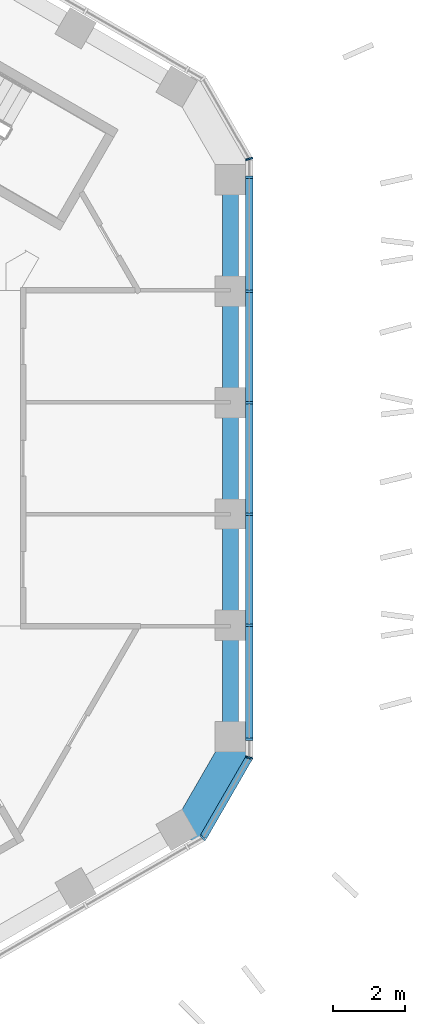
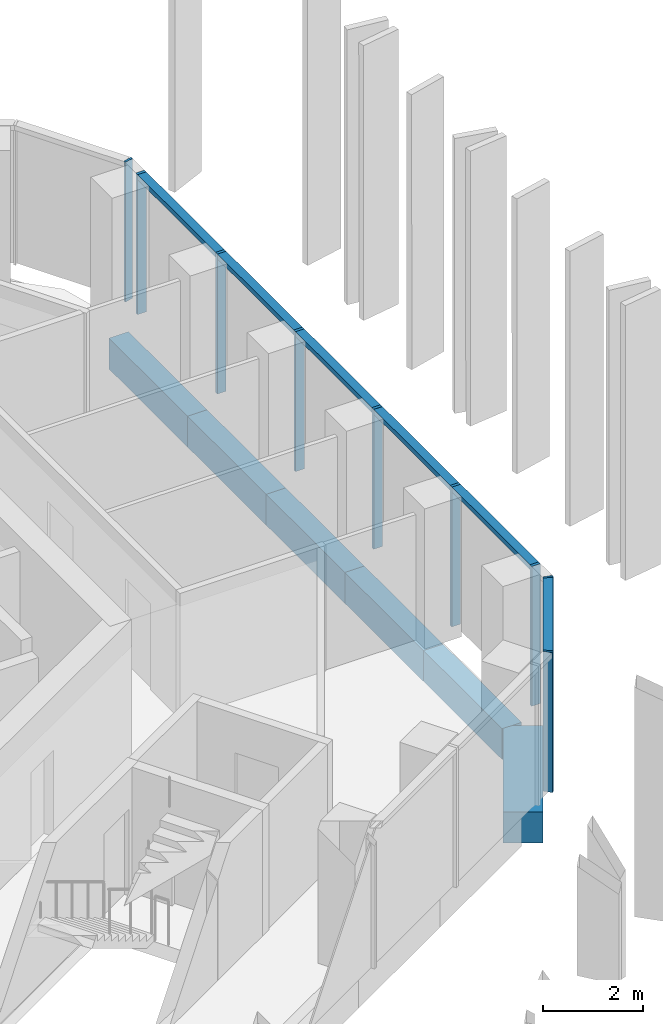
# One storey, part 4 of 18: 11 members, 6 beams, 3 elements without a shape of their own.
"""IFC4 building model written with IfcOpenShell, lengths in metres."""

from ifc_helpers import new_model, si_unit, direction, frame, origin, origin_2d, place, context, subcontext, project, spatial, rectangle, extrude, material, layer, layer_set, material_profile, profile_set, type_object, element, aggregate, save


model = new_model("IFC4")

# Units and contexts
model_context = context("Model", 3, precision=1e-05, world=origin(), true_north=direction((0.0, 1.0)))
body_context = subcontext(model_context, "Body", "Model", "MODEL_VIEW")
ifc_project = project(units=[si_unit("LENGTHUNIT", "METRE"), si_unit("AREAUNIT", "SQUARE_METRE"), si_unit("VOLUMEUNIT", "CUBIC_METRE"), si_unit("PLANEANGLEUNIT", "RADIAN"), si_unit("MASSUNIT", "GRAM", prefix="KILO")], contexts=[model_context])

# Site, building, storey
site_placement = place(None, origin())
site = spatial("IfcSite", under=ifc_project, at=site_placement, CompositionType="ELEMENT")
building_placement = place(site_placement, origin())
building = spatial("IfcBuilding", under=site, at=building_placement, Name="Ayvan Gate Tower", CompositionType="ELEMENT")
storey_placement = place(building_placement, frame((0.0, 0.0, 229.10009765625)))
storey = spatial("IfcBuildingStorey", under=building, at=storey_placement, Name="L61", CompositionType="ELEMENT", Elevation=229.10009765625)

# Beams
ifc_material_1 = material(Name="Concrete C40/50", Category="concrete")
ifc_material_profile_1 = material_profile(ifc_material_1, rectangle(XDim=0.800048828125, YDim=0.75, at=origin_2d()), Name="RC 800x750")
ifc_profile_set_1 = profile_set([ifc_material_profile_1], Name="Concrete C40/50")
beam_type_1 = type_object("IfcBeamType", Name="Corner spandrel beam RC 800x750 C40/50", PredefinedType="BEAM", material=ifc_profile_set_1)
beam_1_placement = place(storey_placement, frame((15.578125, -10.53515625, -0.72509765625), z_axis=(0.499990139034, 0.866031096941, 0.0), x_axis=(-0.866031096941, 0.499990139034, 0.0)))
element("IfcBeam", 1, at=beam_1_placement, inside=storey, type_object=beam_type_1, Name="SB-L61-36", PredefinedType="BEAM", context=body_context, shape_type="SweptSolid", body=[
    extrude(rectangle(XDim=0.800048828125, YDim=0.75, at=origin_2d()), origin(), (0.0, 0.0, 1.0), 3.0),
])
ifc_material_profile_2 = material_profile(ifc_material_1, rectangle(XDim=0.449951171875, YDim=0.75, at=origin_2d()), Name="RC 450x750")
ifc_profile_set_2 = profile_set([ifc_material_profile_2], Name="Concrete C40/50")
beam_type_2 = type_object("IfcBeamType", Name="Spandrel beam RC 450x750 C40/50", PredefinedType="BEAM", material=ifc_profile_set_2)
beam_2_placement = place(storey_placement, frame((16.887451171875, -7.826904296875, -0.72509765625), z_axis=(0.0, 1.0, 0.0), x_axis=(-1.0, 0.0, 0.0)))
element("IfcBeam", 2, at=beam_2_placement, inside=storey, type_object=beam_type_2, Name="SB-L61-1", PredefinedType="BEAM", context=body_context, shape_type="SweptSolid", body=[
    extrude(rectangle(XDim=0.449951171875, YDim=0.75, at=origin_2d()), origin(), (0.0, 0.0, 1.0), 3.130615234375),
])
for number, where, z_axis, x_axis, name in (
    (3, (16.887451171875, -4.6962890625, -0.72509765625), (0.0, 1.0, 0.0), (-1.0, 0.0, 0.0), "SB-L61-2"),
    (4, (16.887451171875, -1.5654296875, -0.72509765625), (0.0, 1.0, 0.0), (-1.0, 0.0, 0.0), "SB-L61-3"),
    (5, (16.887451171875, 1.5654296875, -0.72509765625), (0.0, 1.0, 0.0), (-1.0, 0.0, 0.0), "SB-L61-4"),
):
    element("IfcBeam", number, at=place(storey_placement, frame(where, z_axis=z_axis, x_axis=x_axis)), inside=storey, type_object=beam_type_2, Name=name, PredefinedType="BEAM", context=body_context, shape_type="SweptSolid", body=[
        extrude(rectangle(XDim=0.449951171875, YDim=0.75, at=origin_2d()), origin(), (0.0, 0.0, 1.0), 3.130859375),
    ])
beam_3_placement = place(storey_placement, frame((16.887451171875, 4.6962890625, -0.72509765625), z_axis=(0.0, 1.0, 0.0), x_axis=(-1.0, 0.0, 0.0)))
element("IfcBeam", 6, at=beam_3_placement, inside=storey, type_object=beam_type_2, Name="SB-L61-5", PredefinedType="BEAM", context=body_context, shape_type="SweptSolid", body=[
    extrude(rectangle(XDim=0.449951171875, YDim=0.75, at=origin_2d()), origin(), (0.0, 0.0, 1.0), 3.130615234375),
])

# Curtain wall, members
ifc_material_2 = material(Name="Bronze anodised aluminium", Category="aluminium")
ifc_layer_1 = layer(ifc_material_2, 0.199951171875)
ifc_layer_set_1 = layer_set([ifc_layer_1], Name="Bronze anodised aluminium")
curtain_wall_type_1 = type_object("IfcCurtainWallType", Name="Stick curtain wall CW-2", PredefinedType="NOTDEFINED", material=ifc_layer_set_1)
curtain_wall_1_placement = place(storey_placement, origin())
curtain_wall_1 = element("IfcCurtainWall", 7, at=curtain_wall_1_placement, inside=storey, type_object=curtain_wall_type_1, Name="Stick curtain wall CW-2 L61", PredefinedType="NOTDEFINED")
ifc_material_profile_3 = material_profile(ifc_material_2, rectangle(XDim=0.199951171875, YDim=0.070068359375, at=origin_2d()), Name="Stick curtain wall CW-2 mullion 200 x 70")
ifc_profile_set_3 = profile_set([ifc_material_profile_3], Name="Bronze anodised aluminium")
member_type_1 = type_object("IfcMemberType", Name="Stick curtain wall CW-2 mullion 200 x 70", PredefinedType="MULLION", material=ifc_profile_set_3)
member_1_placement = place(storey_placement, frame((17.41259765625, -7.846435546875, 0.0), z_axis=(0.0, 0.0, 1.0), x_axis=(1.0, 0.0, 0.0)))
member_1 = element("IfcMember", 8, at=member_1_placement, type_object=member_type_1, Name="CW-2 mullion 1", PredefinedType="MULLION", context=body_context, shape_type="SweptSolid", body=[
    extrude(rectangle(XDim=0.199951171875, YDim=0.070068359375, at=origin_2d()), origin(), (0.0, 0.0, 1.0), 3.39990234375),
])
member_2_placement = place(storey_placement, frame((17.41259765625, -4.66650390625, 0.0), z_axis=(0.0, 0.0, 1.0), x_axis=(1.0, 0.0, 0.0)))
member_2 = element("IfcMember", 9, at=member_2_placement, type_object=member_type_1, Name="CW-2 mullion 2", PredefinedType="MULLION", context=body_context, shape_type="SweptSolid", body=[
    extrude(rectangle(XDim=0.199951171875, YDim=0.070068359375, at=origin_2d()), origin(), (0.0, 0.0, 1.0), 3.39990234375),
])
member_3_placement = place(storey_placement, frame((17.41259765625, -1.555419921875, 0.0), z_axis=(0.0, 0.0, 1.0), x_axis=(1.0, 0.0, 0.0)))
member_3 = element("IfcMember", 10, at=member_3_placement, type_object=member_type_1, Name="CW-2 mullion 3", PredefinedType="MULLION", context=body_context, shape_type="SweptSolid", body=[
    extrude(rectangle(XDim=0.199951171875, YDim=0.070068359375, at=origin_2d()), origin(), (0.0, 0.0, 1.0), 3.39990234375),
])
member_4_placement = place(storey_placement, frame((17.41259765625, 1.555419921875, 0.0), z_axis=(0.0, 0.0, 1.0), x_axis=(1.0, 0.0, 0.0)))
member_4 = element("IfcMember", 11, at=member_4_placement, type_object=member_type_1, Name="CW-2 mullion 4", PredefinedType="MULLION", context=body_context, shape_type="SweptSolid", body=[
    extrude(rectangle(XDim=0.199951171875, YDim=0.070068359375, at=origin_2d()), origin(), (0.0, 0.0, 1.0), 3.39990234375),
])
member_5_placement = place(storey_placement, frame((17.41259765625, 4.66650390625, 0.0), z_axis=(0.0, 0.0, 1.0), x_axis=(1.0, 0.0, 0.0)))
member_5 = element("IfcMember", 12, at=member_5_placement, type_object=member_type_1, Name="CW-2 mullion 5", PredefinedType="MULLION", context=body_context, shape_type="SweptSolid", body=[
    extrude(rectangle(XDim=0.199951171875, YDim=0.070068359375, at=origin_2d()), origin(), (0.0, 0.0, 1.0), 3.39990234375),
])
member_6_placement = place(storey_placement, frame((17.41259765625, 7.846435546875, 0.0), z_axis=(0.0, 0.0, 1.0), x_axis=(1.0, 0.0, 0.0)))
member_6 = element("IfcMember", 13, at=member_6_placement, type_object=member_type_1, Name="CW-2 mullion 6", PredefinedType="MULLION", context=body_context, shape_type="SweptSolid", body=[
    extrude(rectangle(XDim=0.199951171875, YDim=0.070068359375, at=origin_2d()), origin(), (0.0, 0.0, 1.0), 3.39990234375),
])
ifc_material_profile_4 = material_profile(ifc_material_2, rectangle(XDim=0.199951171875, YDim=0.1201171875, at=origin_2d()), Name="Stick curtain wall CW-2 transom 200 x 120")
ifc_profile_set_4 = profile_set([ifc_material_profile_4], Name="Bronze anodised aluminium")
member_type_2 = type_object("IfcMemberType", Name="Stick curtain wall CW-2 transom 200 x 120", PredefinedType="USERDEFINED", material=ifc_profile_set_4)
member_7_placement = place(storey_placement, frame((17.41259765625, -7.846435546875, 3.33984375), z_axis=(0.0, 1.0, 0.0), x_axis=(-1.0, 0.0, 0.0)))
member_7 = element("IfcMember", 14, at=member_7_placement, type_object=member_type_2, Name="CW-2 transom 1", ObjectType="TRANSOM", PredefinedType="USERDEFINED", context=body_context, shape_type="SweptSolid", body=[
    extrude(rectangle(XDim=0.199951171875, YDim=0.1201171875, at=origin_2d()), origin(), (0.0, 0.0, 1.0), 15.69287109375),
])
aggregate(curtain_wall_1, [member_1, member_2, member_3, member_4, member_5, member_6, member_7])

ifc_layer_2 = layer(ifc_material_2, 0.199951171875)
ifc_layer_set_2 = layer_set([ifc_layer_2], Name="Bronze anodised aluminium")
curtain_wall_type_2 = type_object("IfcCurtainWallType", Name="Stick curtain wall CW-6", PredefinedType="NOTDEFINED", material=ifc_layer_set_2)
curtain_wall_2_placement = place(storey_placement, origin())
curtain_wall_2 = element("IfcCurtainWall", 15, at=curtain_wall_2_placement, inside=storey, type_object=curtain_wall_type_2, Name="Stick curtain wall CW-6 L61", PredefinedType="NOTDEFINED")
ifc_material_profile_5 = material_profile(ifc_material_2, rectangle(XDim=0.199951171875, YDim=0.050048828125, at=origin_2d()), Name="Stick curtain wall CW-6 mullion 200 x 50")
ifc_profile_set_5 = profile_set([ifc_material_profile_5], Name="Bronze anodised aluminium")
member_type_3 = type_object("IfcMemberType", Name="Stick curtain wall CW-6 mullion 200 x 50", PredefinedType="MULLION", material=ifc_profile_set_5)
member_8_placement = place(storey_placement, frame((16.12109375, -10.593017578125, 0.0), z_axis=(0.0, 0.0, 1.0), x_axis=(0.707106781187, -0.707106781187, 0.0)))
member_8 = element("IfcMember", 16, at=member_8_placement, type_object=member_type_3, Name="CW-6 mullion 2", PredefinedType="MULLION", context=body_context, shape_type="SweptSolid", body=[
    extrude(rectangle(XDim=0.199951171875, YDim=0.050048828125, at=origin_2d()), origin(), (0.0, 0.0, 1.0), 3.39990234375),
])
member_9_placement = place(storey_placement, frame((17.41259765625, -8.3564453125, 0.0), z_axis=(0.0, 0.0, 1.0), x_axis=(0.965925826289, -0.258819045103, 0.0)))
member_9 = element("IfcMember", 17, at=member_9_placement, type_object=member_type_3, Name="CW-6 mullion 3", PredefinedType="MULLION", context=body_context, shape_type="SweptSolid", body=[
    extrude(rectangle(XDim=0.199951171875, YDim=0.050048828125, at=origin_2d()), origin(), (0.0, 0.0, 1.0), 3.39990234375),
])

# Curtain wall, member
curtain_wall_3_placement = place(storey_placement, origin())
curtain_wall_3 = element("IfcCurtainWall", 18, at=curtain_wall_3_placement, inside=storey, type_object=curtain_wall_type_2, Name="Stick curtain wall CW-6 L61", PredefinedType="NOTDEFINED")
member_10_placement = place(storey_placement, frame((17.41259765625, 8.3564453125, 0.0), z_axis=(0.0, 0.0, 1.0), x_axis=(0.965925826289, 0.258819045103, 0.0)))
member_10 = element("IfcMember", 19, at=member_10_placement, type_object=member_type_3, Name="CW-6 mullion 2", PredefinedType="MULLION", context=body_context, shape_type="SweptSolid", body=[
    extrude(rectangle(XDim=0.199951171875, YDim=0.050048828125, at=origin_2d()), origin(), (0.0, 0.0, 1.0), 3.39990234375),
])
aggregate(curtain_wall_3, [member_10])

# Member
ifc_material_profile_6 = material_profile(ifc_material_2, rectangle(XDim=0.199951171875, YDim=0.1201171875, at=origin_2d()), Name="Stick curtain wall CW-6 transom 200 x 120")
ifc_profile_set_6 = profile_set([ifc_material_profile_6], Name="Bronze anodised aluminium")
member_type_4 = type_object("IfcMemberType", Name="Stick curtain wall CW-6 transom 200 x 120", PredefinedType="USERDEFINED", material=ifc_profile_set_6)
member_11_placement = place(storey_placement, frame((16.1337890625, -10.5712890625, 3.33984375), z_axis=(0.49997559865, 0.866039491452, 0.0), x_axis=(-0.866039491452, 0.49997559865, 0.0)))
member_11 = element("IfcMember", 20, at=member_11_placement, type_object=member_type_4, Name="CW-6 transom 2", ObjectType="TRANSOM", PredefinedType="USERDEFINED", context=body_context, shape_type="SweptSolid", body=[
    extrude(rectangle(XDim=0.199951171875, YDim=0.1201171875, at=origin_2d()), origin(), (0.0, 0.0, 1.0), 2.532470703125),
])

aggregate(curtain_wall_2, [member_8, member_9, member_11])

save(model, "model.ifc")
